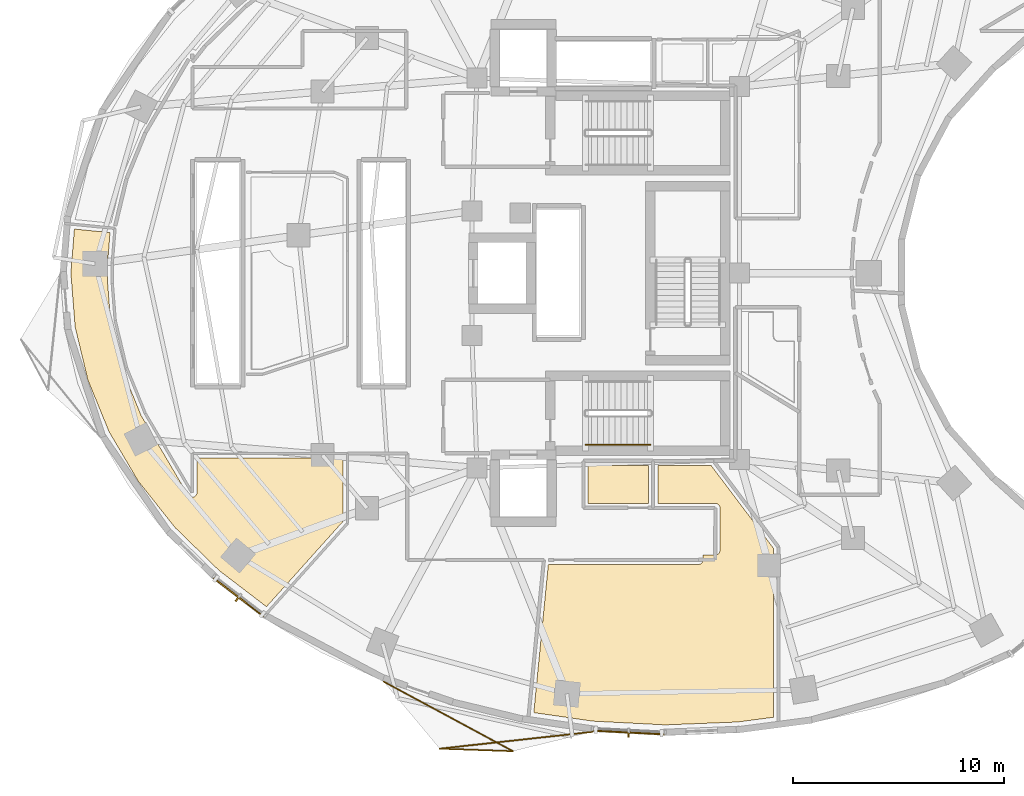
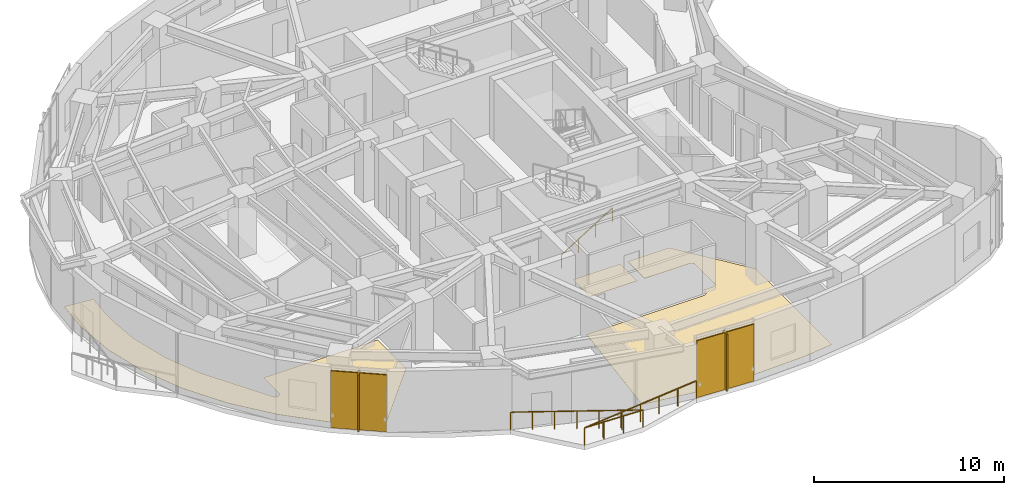
# One storey, part 12 of 14: 4 shading devices, 3 coverings, 2 railings.
"""IFC4 building model written with IfcOpenShell, lengths in metres."""

from ifc_helpers import new_model, si_unit, direction, frame, origin, origin_2d, place, context, subcontext, project, spatial, polyline, rectangle, outline, extrude, material, layer, layer_set, type_object, element, save


model = new_model("IFC4")

# Units and contexts
model_context = context("Model", 3, precision=1e-05, world=origin(), true_north=direction((0.0, 1.0)))
body_context = subcontext(model_context, "Body", "Model", "MODEL_VIEW")
ifc_project = project(units=[si_unit("LENGTHUNIT", "METRE"), si_unit("AREAUNIT", "SQUARE_METRE"), si_unit("VOLUMEUNIT", "CUBIC_METRE"), si_unit("PLANEANGLEUNIT", "RADIAN"), si_unit("MASSUNIT", "GRAM", prefix="KILO")], contexts=[model_context])

# Site, building, storey
site_placement = place(None, origin())
site = spatial("IfcSite", under=ifc_project, at=site_placement, CompositionType="ELEMENT")
building_placement = place(site_placement, origin())
building = spatial("IfcBuilding", under=site, at=building_placement, Name="Korentha Bioscience Tower", CompositionType="ELEMENT")
storey_placement = place(building_placement, frame((0.0, 0.0, 90.0)))
storey = spatial("IfcBuildingStorey", under=building, at=storey_placement, Name="L20", CompositionType="ELEMENT", Elevation=90.0)

# Railings
ifc_material_1 = material(Name="Stainless Steel 304", Category="steel")
railing_type_1 = type_object("IfcRailingType", Name="Brushed Stainless Stair Handrail 900", PredefinedType="HANDRAIL", material=ifc_material_1)
railing_1_placement = place(storey_placement, frame((30.25, 18.85009765625, 0.175048828125)))
element("IfcRailing", 1, at=railing_1_placement, inside=storey, type_object=railing_type_1, Name="L20 ST-2 stair handrail 1", PredefinedType="HANDRAIL", context=body_context, shape_type="SweptSolid", body=[
    extrude(rectangle(XDim=0.048095703125, YDim=0.048095703125, at=origin_2d()), frame((0.0, 0.0, 0.8759765625), z_axis=(0.847998304005, 0.0, 0.529998940003), x_axis=(0.0, 1.0, 0.0)), (0.0, 0.0, 1.0), 3.632080078125),
    extrude(rectangle(XDim=0.0419921875, YDim=0.0419921875, at=origin_2d()), origin(), (0.0, 0.0, 1.0), 0.851806640625),
    extrude(rectangle(XDim=0.0419921875, YDim=0.0419921875, at=origin_2d()), frame((1.026611328125, 0.0, 0.6416015625)), (0.0, 0.0, 1.0), 0.851806640625),
    extrude(rectangle(XDim=0.0419921875, YDim=0.0419921875, at=origin_2d()), frame((2.053466796875, 0.0, 1.283447265625)), (0.0, 0.0, 1.0), 0.851806640625),
    extrude(rectangle(XDim=0.0419921875, YDim=0.0419921875, at=origin_2d()), frame((3.080078125, 0.0, 1.925048828125)), (0.0, 0.0, 1.0), 0.851806640625),
])
ifc_material_2 = material(Name="Laminated Tempered Safety Glass", Category="glass")
railing_type_2 = type_object("IfcRailingType", Name="Laminated Glass Balcony Guardrail 1150", PredefinedType="BALUSTRADE", material=ifc_material_2)
railing_2_placement = place(storey_placement, frame((20.66650390625, 7.62109375, 0.0)))
element("IfcRailing", 2, at=railing_2_placement, inside=storey, type_object=railing_type_2, Name="L20 Balcony Guardrail 03", PredefinedType="BALUSTRADE", context=body_context, shape_type="SweptSolid", body=[
    extrude(rectangle(XDim=0.048095703125, YDim=0.048095703125, at=origin_2d()), frame((0.0, 0.0, 1.1259765625), z_axis=(0.880340587616, -0.474342123151, 0.0), x_axis=(0.474342123151, 0.880340587616, 0.0)), (0.0, 0.0, 1.0), 6.969482421875),
    extrude(rectangle(XDim=0.048095703125, YDim=0.048095703125, at=origin_2d()), frame((6.135498046875, -3.305908203125, 1.1259765625), z_axis=(-0.999404081372, 0.034517852442, 0.0), x_axis=(-0.034517852442, -0.999404081372, 0.0)), (0.0, 0.0, 1.0), 3.479736328125),
    extrude(rectangle(XDim=0.048095703125, YDim=0.048095703125, at=origin_2d()), frame((2.65771484375, -3.185791015625, 1.1259765625), z_axis=(0.993998557505, 0.109393179306, 0.0), x_axis=(-0.109393179306, 0.993998557505, 0.0)), (0.0, 0.0, 1.0), 7.27783203125),
    extrude(rectangle(XDim=0.0419921875, YDim=0.0419921875, at=origin_2d()), origin(), (0.0, 0.0, 1.0), 1.101806640625),
    extrude(rectangle(XDim=0.0419921875, YDim=0.0419921875, at=origin_2d()), frame((1.0224609375, -0.551025390625, 0.0)), (0.0, 0.0, 1.0), 1.101806640625),
    extrude(rectangle(XDim=0.0419921875, YDim=0.0419921875, at=origin_2d()), frame((2.045166015625, -1.10205078125, 0.0)), (0.0, 0.0, 1.0), 1.101806640625),
    extrude(rectangle(XDim=0.0419921875, YDim=0.0419921875, at=origin_2d()), frame((3.06787109375, -1.65283203125, 0.0)), (0.0, 0.0, 1.0), 1.101806640625),
    extrude(rectangle(XDim=0.0419921875, YDim=0.0419921875, at=origin_2d()), frame((4.09033203125, -2.203857421875, 0.0)), (0.0, 0.0, 1.0), 1.101806640625),
    extrude(rectangle(XDim=0.0419921875, YDim=0.0419921875, at=origin_2d()), frame((5.11279296875, -2.7548828125, 0.0)), (0.0, 0.0, 1.0), 1.101806640625),
    extrude(rectangle(XDim=0.0419921875, YDim=0.0419921875, at=origin_2d()), frame((6.135498046875, -3.305908203125, 0.0)), (0.0, 0.0, 1.0), 1.101806640625),
    extrude(rectangle(XDim=0.0419921875, YDim=0.0419921875, at=origin_2d()), frame((4.976318359375, -3.265869140625, 0.0)), (0.0, 0.0, 1.0), 1.101806640625),
    extrude(rectangle(XDim=0.0419921875, YDim=0.0419921875, at=origin_2d()), frame((3.81689453125, -3.225830078125, 0.0)), (0.0, 0.0, 1.0), 1.101806640625),
    extrude(rectangle(XDim=0.0419921875, YDim=0.0419921875, at=origin_2d()), frame((2.65771484375, -3.185791015625, 0.0)), (0.0, 0.0, 1.0), 1.101806640625),
    extrude(rectangle(XDim=0.0419921875, YDim=0.0419921875, at=origin_2d()), frame((3.86328125, -3.05322265625, 0.0)), (0.0, 0.0, 1.0), 1.101806640625),
    extrude(rectangle(XDim=0.0419921875, YDim=0.0419921875, at=origin_2d()), frame((5.069091796875, -2.92041015625, 0.0)), (0.0, 0.0, 1.0), 1.101806640625),
    extrude(rectangle(XDim=0.0419921875, YDim=0.0419921875, at=origin_2d()), frame((6.27490234375, -2.78759765625, 0.0)), (0.0, 0.0, 1.0), 1.101806640625),
    extrude(rectangle(XDim=0.0419921875, YDim=0.0419921875, at=origin_2d()), frame((7.48046875, -2.655029296875, 0.0)), (0.0, 0.0, 1.0), 1.101806640625),
    extrude(rectangle(XDim=0.0419921875, YDim=0.0419921875, at=origin_2d()), frame((8.68603515625, -2.5224609375, 0.0)), (0.0, 0.0, 1.0), 1.101806640625),
    extrude(rectangle(XDim=0.0419921875, YDim=0.0419921875, at=origin_2d()), frame((9.891845703125, -2.3896484375, 0.0)), (0.0, 0.0, 1.0), 1.101806640625),
])

# Shading devices
ifc_material_3 = material(Name="Perforated Stone-Ceramic Composite", Category="masonry")
ifc_layer_1 = layer(ifc_material_3, 0.06494140625, Name="Perforated Stone-Ceramic Composite")
ifc_layer_set_1 = layer_set([ifc_layer_1], Name="Perforated Stone-Ceramic Composite (CS-01)")
shading_device_type_1 = type_object("IfcShadingDeviceType", Name="Perforated Stone-Ceramic Solar Screen Panel 65", PredefinedType="USERDEFINED", material=ifc_layer_set_1)
shading_device_1_placement = place(storey_placement, frame((13.7841796875, 11.616455078125, 0.0), z_axis=(0.0, 0.0, 1.0), x_axis=(0.794499603893, -0.607264669986, 0.0)))
element("IfcShadingDevice", 3, at=shading_device_1_placement, inside=storey, type_object=shading_device_type_1, Name="CW-L20-25 Perforated Stone-Ceramic Solar Screen", ObjectType="SCREEN", PredefinedType="USERDEFINED", context=body_context, shape_type="SweptSolid", body=[
    extrude(rectangle(XDim=2.98291015625, YDim=0.06494140625, at=origin_2d()), origin(), (0.0, 0.0, 1.0), 3.64990234375),
])
shading_device_2_placement = place(storey_placement, frame((32.2958984375, 5.201904296875, 0.0), z_axis=(0.0, 0.0, 1.0), x_axis=(0.998673231344, -0.051495407527, 0.0)))
element("IfcShadingDevice", 4, at=shading_device_2_placement, inside=storey, type_object=shading_device_type_1, Name="CW-L20-31 Perforated Stone-Ceramic Solar Screen", ObjectType="SCREEN", PredefinedType="USERDEFINED", context=body_context, shape_type="SweptSolid", body=[
    extrude(rectangle(XDim=3.373779296875, YDim=0.06494140625, at=origin_2d()), origin(), (0.0, 0.0, 1.0), 3.64990234375),
])

# Coverings
ifc_material_4 = material(Name="Chemical-Resistant Epoxy Resin", Category="polymer")
ifc_layer_2 = layer(ifc_material_4, 0.011962890625, Name="Chemical-Resistant Epoxy Resin")
ifc_layer_set_2 = layer_set([ifc_layer_2], Name="Chemical-Resistant Epoxy Resin (FL-EPX)")
covering_type = type_object("IfcCoveringType", Name="Seamless Epoxy Laboratory Flooring 12", PredefinedType="FLOORING", material=ifc_layer_set_2)
covering_1_placement = place(storey_placement, origin())
element("IfcCovering", 5, at=covering_1_placement, inside=storey, type_object=covering_type, Name="L20 Core Instrumentation and Gas Store Floor Finish", PredefinedType="FLOORING", context=body_context, shape_type="SweptSolid", body=[
    extrude(outline(polyline([(30.3701171875, 16.080078125), (30.3701171875, 17.8701171875), (33.22998046875, 17.8701171875), (33.22998046875, 16.080078125), (30.3701171875, 16.080078125)])), origin(), (0.0, 0.0, 1.0), 0.011962890625),
])
covering_2_placement = place(storey_placement, origin())
element("IfcCovering", 6, at=covering_2_placement, inside=storey, type_object=covering_type, Name="L20 Principal Investigator Office 01 Floor Finish", PredefinedType="FLOORING", context=body_context, shape_type="SweptSolid", body=[
    extrude(outline(polyline([(5.99169921875, 29.09228515625), (7.683837890625, 28.926513671875), (7.5703125, 27.492431640625), (7.570068359375, 26.51708984375), (7.710693359375, 24.7333984375), (8.254150390625, 22.46142578125), (9.162109375, 20.23828125), (11.3818359375, 16.47509765625), (11.431396484375, 16.416259765625), (11.531005859375, 16.3671875), (11.6611328125, 16.376708984375), (11.75244140625, 16.43994140625), (11.803466796875, 16.53759765625), (11.81005859375, 18.219970703125), (18.72802734375, 18.219970703125), (18.72802734375, 15.206787109375), (15.107421875, 11.17138671875), (12.857177734375, 12.89111328125), (10.76708984375, 14.928466796875), (9.01806640625, 17.135986328125), (7.63427734375, 19.48095703125), (6.63330078125, 21.9296875), (6.028076171875, 24.44775390625), (5.82568359375, 27.0), (5.99169921875, 29.09228515625)])), origin(), (0.0, 0.0, 1.0), 0.011962890625),
])
covering_3_placement = place(storey_placement, origin())
element("IfcCovering", 7, at=covering_3_placement, inside=storey, type_object=covering_type, Name="L20 Staff Pantry Kitchenette 03 Floor Finish", PredefinedType="FLOORING", context=body_context, shape_type="SweptSolid", body=[
    extrude(outline(polyline([(28.480712890625, 13.169921875), (35.61181640625, 13.17041015625), (35.71875, 13.202880859375), (35.8076171875, 13.30126953125), (35.82958984375, 13.38818359375), (35.830078125, 13.6201171875), (36.410888671875, 13.620361328125), (36.518798828125, 13.653076171875), (36.597412109375, 13.732177734375), (36.6298828125, 13.85009765625), (36.629638671875, 15.86083984375), (36.608154296875, 15.947998046875), (36.55419921875, 16.020751953125), (36.477783203125, 16.06640625), (36.39990234375, 16.080078125), (33.679931640625, 16.080078125), (33.679931640625, 17.8701171875), (36.209716796875, 17.8701171875), (39.177978515625, 13.930908203125), (39.177978515625, 5.927001953125), (37.456298828125, 5.699462890625), (34.030517578125, 5.563232421875), (30.60791015625, 5.739501953125), (27.7919921875, 6.146240234375), (28.480712890625, 13.169921875)])), origin(), (0.0, 0.0, 1.0), 0.011962890625),
])

# Shading devices
ifc_material_5 = material(Name="Honed Travertine Limestone", Category="masonry")
ifc_layer_3 = layer(ifc_material_5, 0.080078125, Name="Honed Travertine Limestone")
ifc_layer_set_3 = layer_set([ifc_layer_3], Name="Honed Travertine Limestone (CS-02)")
shading_device_type_2 = type_object("IfcShadingDeviceType", Name="Vertical Honed Limestone Sunshade Fin 80x420", PredefinedType="USERDEFINED", material=ifc_layer_set_3)
for number, where, z_axis, x_axis, name in (
    (8, (13.77197265625, 11.600341796875, 0.0), (0.0, 0.0, 1.0), (0.794499603893, -0.607264669986, 0.0), "CW-L20-25 Limestone Sunshade Fin"),
    (9, (32.294921875, 5.18212890625, 0.0), (0.0, 0.0, 1.0), (0.998673231344, -0.051495407527, 0.0), "CW-L20-31 Limestone Sunshade Fin"),
):
    element("IfcShadingDevice", number, at=place(storey_placement, frame(where, z_axis=z_axis, x_axis=x_axis)), inside=storey, type_object=shading_device_type_2, Name=name, ObjectType="SCREEN", PredefinedType="USERDEFINED", context=body_context, shape_type="SweptSolid", body=[
        extrude(rectangle(XDim=0.080078125, YDim=0.419921875, at=origin_2d()), origin(), (0.0, 0.0, 1.0), 3.64990234375),
    ])

save(model, "model.ifc")
